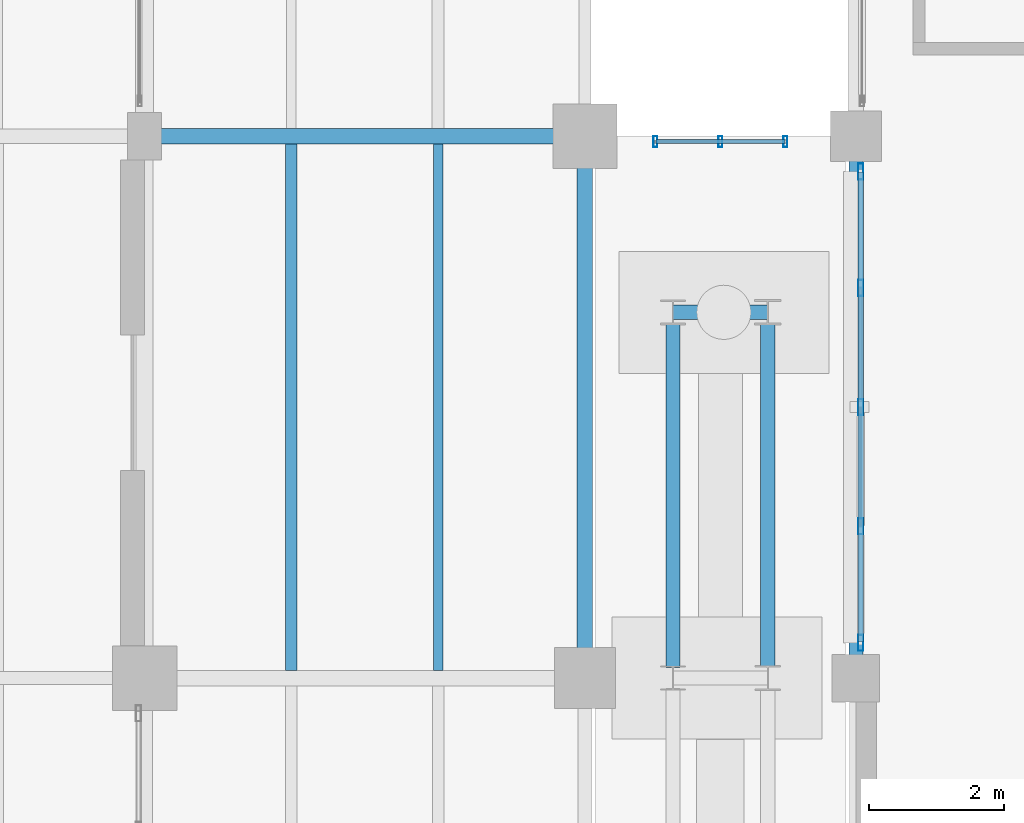
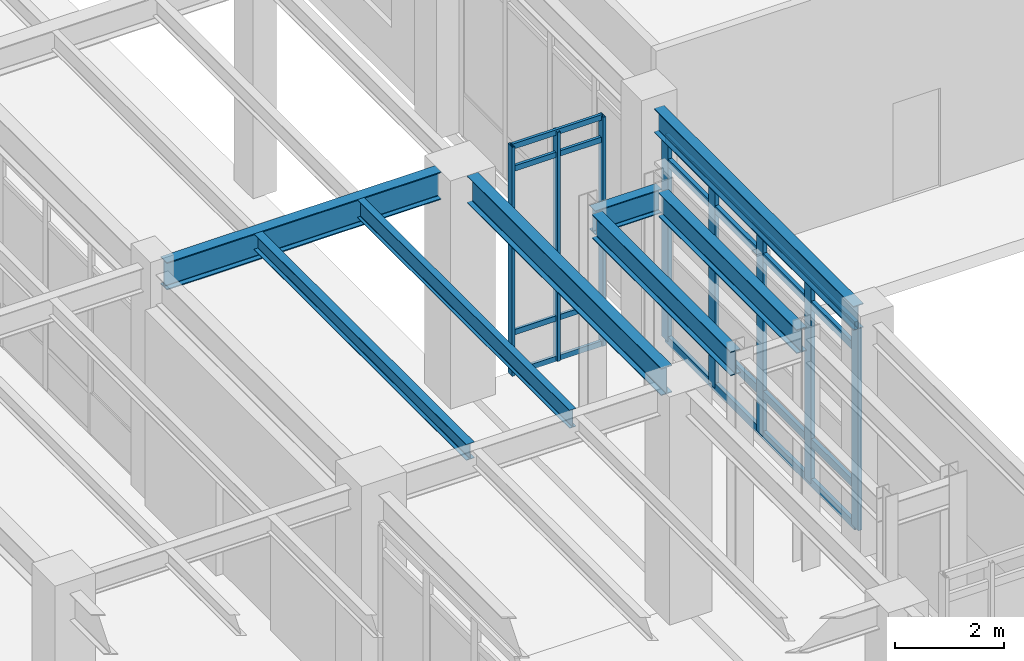
# One storey, part 115 of 203: 16 members, 8 beams, 2 elements without a shape of their own.
"""IFC4 building model written with IfcOpenShell, lengths in metres."""

from ifc_helpers import new_model, si_unit, direction, frame, origin, origin_2d, place, context, subcontext, project, spatial, hollow_rectangle, i_section, extrude, material, material_profile, profile_set, type_object, element, aggregate, save


model = new_model("IFC4")

# Units and contexts
model_context = context("Model", 3, precision=1e-05, world=origin(), true_north=direction((0.0, 1.0)))
body_context = subcontext(model_context, "Body", "Model", "MODEL_VIEW")
ifc_project = project(units=[si_unit("LENGTHUNIT", "METRE"), si_unit("AREAUNIT", "SQUARE_METRE"), si_unit("VOLUMEUNIT", "CUBIC_METRE"), si_unit("PLANEANGLEUNIT", "RADIAN"), si_unit("MASSUNIT", "GRAM", prefix="KILO"), si_unit("THERMODYNAMICTEMPERATUREUNIT", "KELVIN"), si_unit("POWERUNIT", "WATT")], contexts=[model_context])

# Site, building, storey
site_placement = place(None, origin())
site = spatial("IfcSite", under=ifc_project, at=site_placement, CompositionType="ELEMENT")
building_placement = place(site_placement, origin())
building = spatial("IfcBuilding", under=site, at=building_placement, Name="Tepalcoro Natatorium and Aquatics Centre", CompositionType="ELEMENT")
storey_placement = place(building_placement, origin())
storey = spatial("IfcBuildingStorey", under=building, at=storey_placement, Name="L00", CompositionType="ELEMENT", Elevation=0.0)

# Beams
ifc_material_1 = material(Name="Steel ASTM A992 Grade 50 (Fy 345 MPa)", Category="steel")
ifc_material_profile_1 = material_profile(ifc_material_1, i_section(OverallWidth=0.2109375, OverallDepth=0.5380859375, WebThickness=0.011962890625, FlangeThickness=0.01904296875, FilletRadius=0.013916015625, at=origin_2d()), Name="W21X73")
ifc_profile_set_1 = profile_set([ifc_material_profile_1], Name="Steel ASTM A992 Grade 50 (Fy 345 MPa)")
beam_type_1 = type_object("IfcBeamType", Name="BM_LINK_LB1", PredefinedType="BEAM", material=ifc_profile_set_1)
beam_1_placement = place(storey_placement, frame((139.300048828125, 41.39990234375, 4.89599609375), z_axis=(1.0, 0.0, 0.0), x_axis=(0.0, 1.0, 0.0)))
element("IfcBeam", 1, at=beam_1_placement, inside=storey, type_object=beam_type_1, Name="Seismic passage link beam LB1 (V6E L00)", PredefinedType="BEAM", context=body_context, shape_type="SweptSolid", body=[
    extrude(i_section(OverallWidth=0.2109375, OverallDepth=0.5380859375, WebThickness=0.011962890625, FlangeThickness=0.01904296875, FilletRadius=0.013916015625, at=origin_2d()), origin(), (0.0, 0.0, 1.0), 1.39990234375),
])
beam_2_placement = place(storey_placement, frame((139.300048828125, 36.156982421875, 4.89599609375), z_axis=(0.0, 1.0, 0.0), x_axis=(-1.0, 0.0, 0.0)))
element("IfcBeam", 2, at=beam_2_placement, inside=storey, type_object=beam_type_1, Name="Seismic passage link beam LB1 (V6E L00)", PredefinedType="BEAM", context=body_context, shape_type="SweptSolid", body=[
    extrude(i_section(OverallWidth=0.2109375, OverallDepth=0.5380859375, WebThickness=0.011962890625, FlangeThickness=0.01904296875, FilletRadius=0.013916015625, at=origin_2d()), origin(), (0.0, 0.0, 1.0), 5.080078125),
])
beam_3_placement = place(storey_placement, frame((140.699951171875, 36.1630859375, 4.89599609375), z_axis=(0.0, 1.0, 0.0), x_axis=(-1.0, 0.0, 0.0)))
element("IfcBeam", 3, at=beam_3_placement, inside=storey, type_object=beam_type_1, Name="Seismic passage link beam LB1 (V6E L00)", PredefinedType="BEAM", context=body_context, shape_type="SweptSolid", body=[
    extrude(i_section(OverallWidth=0.2109375, OverallDepth=0.5380859375, WebThickness=0.011962890625, FlangeThickness=0.01904296875, FilletRadius=0.013916015625, at=origin_2d()), origin(), (0.0, 0.0, 1.0), 5.06982421875),
])
ifc_material_profile_2 = material_profile(ifc_material_1, i_section(OverallWidth=0.22998046875, OverallDepth=0.616943359375, WebThickness=0.012939453125, FlangeThickness=0.02197265625, FilletRadius=0.013916015625, at=origin_2d()), Name="W24X94")
ifc_profile_set_2 = profile_set([ifc_material_profile_2], Name="Steel ASTM A992 Grade 50 (Fy 345 MPa)")
beam_type_2 = type_object("IfcBeamType", Name="BM_W24x94", PredefinedType="BEAM", material=ifc_profile_set_2)
beam_4_placement = place(storey_placement, frame((131.735107421875, 44.0, 4.776611328125), z_axis=(1.0, 0.0, 0.0), x_axis=(0.0, 1.0, 0.0)))
element("IfcBeam", 4, at=beam_4_placement, inside=storey, type_object=beam_type_2, Name="V1 L00 Grid Girder X", PredefinedType="BEAM", context=body_context, shape_type="SweptSolid", body=[
    extrude(i_section(OverallWidth=0.22998046875, OverallDepth=0.616943359375, WebThickness=0.012939453125, FlangeThickness=0.02197265625, FilletRadius=0.013916015625, at=origin_2d()), origin(), (0.0, 0.0, 1.0), 5.804931640625),
])

# Curtain wall, members
ifc_material_2 = material(Name="Bronze-Anodised Extruded Aluminium Alloy EN AW-6063 T6", Category="aluminium")
curtain_wall_type_1 = type_object("IfcCurtainWallType", Name="CW_LINK_150", PredefinedType="USERDEFINED", material=ifc_material_2)
curtain_wall_1_placement = place(storey_placement, origin())
curtain_wall_1 = element("IfcCurtainWall", 5, at=curtain_wall_1_placement, inside=storey, type_object=curtain_wall_type_1, Name="East Diving Seismic Link Glazed Wall N L00", ObjectType="UNITISED STOREFRONT", PredefinedType="USERDEFINED")
ifc_material_profile_3 = material_profile(ifc_material_2, hollow_rectangle(XDim=0.06005859375, YDim=0.159912109375, WallThickness=0.00390625, at=origin_2d()), Name="AL60X160X4")
ifc_profile_set_3 = profile_set([ifc_material_profile_3], Name="Bronze-Anodised Extruded Aluminium Alloy EN AW-6063 T6")
member_type_1 = type_object("IfcMemberType", Name="CW_MUL_60x160", PredefinedType="MULLION", material=ifc_profile_set_3)
member_1_placement = place(storey_placement, frame((139.0400390625, 43.919921875, 0.02001953125), z_axis=(0.0, 0.0, 1.0), x_axis=(1.0, 0.0, 0.0)))
member_1 = element("IfcMember", 6, at=member_1_placement, type_object=member_type_1, Name="CW_LINK_150 Curtain Wall Mullion", PredefinedType="MULLION", context=body_context, shape_type="SweptSolid", body=[
    extrude(hollow_rectangle(XDim=0.06005859375, YDim=0.159912109375, WallThickness=0.00390625, at=origin_2d()), origin(), (0.0, 0.0, 1.0), 5.119873046875),
])
member_2_placement = place(storey_placement, frame((140.0, 43.919921875, 0.02001953125), z_axis=(0.0, 0.0, 1.0), x_axis=(1.0, 0.0, 0.0)))
member_2 = element("IfcMember", 7, at=member_2_placement, type_object=member_type_1, Name="CW_LINK_150 Curtain Wall Mullion", PredefinedType="MULLION", context=body_context, shape_type="SweptSolid", body=[
    extrude(hollow_rectangle(XDim=0.06005859375, YDim=0.159912109375, WallThickness=0.00390625, at=origin_2d()), origin(), (0.0, 0.0, 1.0), 5.119873046875),
])
member_3_placement = place(storey_placement, frame((140.9599609375, 43.919921875, 0.02001953125), z_axis=(0.0, 0.0, 1.0), x_axis=(1.0, 0.0, 0.0)))
member_3 = element("IfcMember", 8, at=member_3_placement, type_object=member_type_1, Name="CW_LINK_150 Curtain Wall Mullion", PredefinedType="MULLION", context=body_context, shape_type="SweptSolid", body=[
    extrude(hollow_rectangle(XDim=0.06005859375, YDim=0.159912109375, WallThickness=0.00390625, at=origin_2d()), origin(), (0.0, 0.0, 1.0), 5.119873046875),
])

curtain_wall_type_2 = type_object("IfcCurtainWallType", Name="CW_LEAN_T2_EW", PredefinedType="USERDEFINED", material=ifc_material_2)
curtain_wall_2_placement = place(storey_placement, origin())
curtain_wall_2 = element("IfcCurtainWall", 9, at=curtain_wall_2_placement, inside=storey, type_object=curtain_wall_type_2, Name="V2 L00 W Unitised Curtain Wall Bay 5", ObjectType="FACETED SOLAR GLAZING", PredefinedType="USERDEFINED")
ifc_material_profile_4 = material_profile(ifc_material_2, hollow_rectangle(XDim=0.080078125, YDim=0.239990234375, WallThickness=0.0048828125, at=origin_2d()), Name="AL80X240X5")
ifc_profile_set_4 = profile_set([ifc_material_profile_4], Name="Bronze-Anodised Extruded Aluminium Alloy EN AW-6063 T6")
member_type_2 = type_object("IfcMemberType", Name="CW_MUL_80x240", PredefinedType="MULLION", material=ifc_profile_set_4)
member_4_placement = place(storey_placement, frame((142.0712890625, 36.52001953125, 0.02001953125), z_axis=(0.0, 0.0, 1.0), x_axis=(1.0, 0.0, 0.0)))
member_4 = element("IfcMember", 10, at=member_4_placement, type_object=member_type_2, Name="CW_LEAN_T2_EW Curtain Wall Mullion", PredefinedType="MULLION", context=body_context, shape_type="SweptSolid", body=[
    extrude(hollow_rectangle(XDim=0.080078125, YDim=0.239990234375, WallThickness=0.0048828125, at=origin_2d()), origin(), (0.0, 0.0, 1.0), 4.533935546875),
])
member_5_placement = place(storey_placement, frame((142.0712890625, 38.239990234375, 0.02001953125), z_axis=(0.0, 0.0, 1.0), x_axis=(1.0, 0.0, 0.0)))
member_5 = element("IfcMember", 11, at=member_5_placement, type_object=member_type_2, Name="CW_LEAN_T2_EW Curtain Wall Mullion", PredefinedType="MULLION", context=body_context, shape_type="SweptSolid", body=[
    extrude(hollow_rectangle(XDim=0.080078125, YDim=0.239990234375, WallThickness=0.0048828125, at=origin_2d()), origin(), (0.0, 0.0, 1.0), 4.533935546875),
])
member_6_placement = place(storey_placement, frame((142.0712890625, 40.0, 0.02001953125), z_axis=(0.0, 0.0, 1.0), x_axis=(1.0, 0.0, 0.0)))
member_6 = element("IfcMember", 12, at=member_6_placement, type_object=member_type_2, Name="CW_LEAN_T2_EW Curtain Wall Mullion", PredefinedType="MULLION", context=body_context, shape_type="SweptSolid", body=[
    extrude(hollow_rectangle(XDim=0.080078125, YDim=0.239990234375, WallThickness=0.0048828125, at=origin_2d()), origin(), (0.0, 0.0, 1.0), 4.533935546875),
])
member_7_placement = place(storey_placement, frame((142.0712890625, 41.760009765625, 0.02001953125), z_axis=(0.0, 0.0, 1.0), x_axis=(1.0, 0.0, 0.0)))
member_7 = element("IfcMember", 13, at=member_7_placement, type_object=member_type_2, Name="CW_LEAN_T2_EW Curtain Wall Mullion", PredefinedType="MULLION", context=body_context, shape_type="SweptSolid", body=[
    extrude(hollow_rectangle(XDim=0.080078125, YDim=0.239990234375, WallThickness=0.0048828125, at=origin_2d()), origin(), (0.0, 0.0, 1.0), 4.533935546875),
])
member_8_placement = place(storey_placement, frame((142.0712890625, 43.47998046875, 0.02001953125), z_axis=(0.0, 0.0, 1.0), x_axis=(1.0, 0.0, 0.0)))
member_8 = element("IfcMember", 14, at=member_8_placement, type_object=member_type_2, Name="CW_LEAN_T2_EW Curtain Wall Mullion", PredefinedType="MULLION", context=body_context, shape_type="SweptSolid", body=[
    extrude(hollow_rectangle(XDim=0.080078125, YDim=0.239990234375, WallThickness=0.0048828125, at=origin_2d()), origin(), (0.0, 0.0, 1.0), 4.533935546875),
])

# Member
ifc_material_profile_5 = material_profile(ifc_material_2, hollow_rectangle(XDim=0.06005859375, YDim=0.1201171875, WallThickness=0.00390625, at=origin_2d()), Name="AL60X120X4")
ifc_profile_set_5 = profile_set([ifc_material_profile_5], Name="Bronze-Anodised Extruded Aluminium Alloy EN AW-6063 T6")
member_type_3 = type_object("IfcMemberType", Name="CW_TRN_60x120", PredefinedType="USERDEFINED", material=ifc_profile_set_5)
member_9_placement = place(storey_placement, frame((139.050048828125, 43.919921875, 0.050048828125), z_axis=(1.0, 0.0, 0.0), x_axis=(0.0, 1.0, 0.0)))
member_9 = element("IfcMember", 15, at=member_9_placement, type_object=member_type_3, Name="CW_LINK_150 Curtain Wall Transom", ObjectType="TRANSOM", PredefinedType="USERDEFINED", context=body_context, shape_type="SweptSolid", body=[
    extrude(hollow_rectangle(XDim=0.06005859375, YDim=0.1201171875, WallThickness=0.00390625, at=origin_2d()), origin(), (0.0, 0.0, 1.0), 1.89990234375),
])

member_10_placement = place(storey_placement, frame((139.050048828125, 43.919921875, 0.949951171875), z_axis=(1.0, 0.0, 0.0), x_axis=(0.0, 1.0, 0.0)))
member_10 = element("IfcMember", 16, at=member_10_placement, type_object=member_type_3, Name="CW_LINK_150 Curtain Wall Transom", ObjectType="TRANSOM", PredefinedType="USERDEFINED", context=body_context, shape_type="SweptSolid", body=[
    extrude(hollow_rectangle(XDim=0.06005859375, YDim=0.1201171875, WallThickness=0.00390625, at=origin_2d()), origin(), (0.0, 0.0, 1.0), 1.89990234375),
])

member_11_placement = place(storey_placement, frame((139.050048828125, 43.919921875, 4.610107421875), z_axis=(1.0, 0.0, 0.0), x_axis=(0.0, 1.0, 0.0)))
member_11 = element("IfcMember", 17, at=member_11_placement, type_object=member_type_3, Name="CW_LINK_150 Curtain Wall Transom", ObjectType="TRANSOM", PredefinedType="USERDEFINED", context=body_context, shape_type="SweptSolid", body=[
    extrude(hollow_rectangle(XDim=0.06005859375, YDim=0.1201171875, WallThickness=0.00390625, at=origin_2d()), origin(), (0.0, 0.0, 1.0), 1.89990234375),
])

member_12_placement = place(storey_placement, frame((139.050048828125, 43.919921875, 5.110107421875), z_axis=(1.0, 0.0, 0.0), x_axis=(0.0, 1.0, 0.0)))
member_12 = element("IfcMember", 18, at=member_12_placement, type_object=member_type_3, Name="CW_LINK_150 Curtain Wall Transom", ObjectType="TRANSOM", PredefinedType="USERDEFINED", context=body_context, shape_type="SweptSolid", body=[
    extrude(hollow_rectangle(XDim=0.06005859375, YDim=0.1201171875, WallThickness=0.00390625, at=origin_2d()), origin(), (0.0, 0.0, 1.0), 1.89990234375),
])

aggregate(curtain_wall_1, [member_1, member_2, member_3, member_9, member_10, member_11, member_12])

ifc_material_profile_6 = material_profile(ifc_material_2, hollow_rectangle(XDim=0.080078125, YDim=0.179931640625, WallThickness=0.0048828125, at=origin_2d()), Name="AL80X180X5")
ifc_profile_set_6 = profile_set([ifc_material_profile_6], Name="Bronze-Anodised Extruded Aluminium Alloy EN AW-6063 T6")
member_type_4 = type_object("IfcMemberType", Name="CW_TRN_80x180", PredefinedType="USERDEFINED", material=ifc_profile_set_6)
member_13_placement = place(storey_placement, frame((142.0712890625, 36.530029296875, 0.050048828125), z_axis=(0.0, 1.0, 0.0), x_axis=(-1.0, 0.0, 0.0)))
member_13 = element("IfcMember", 19, at=member_13_placement, type_object=member_type_4, Name="CW_LEAN_T2_EW Curtain Wall Transom", ObjectType="TRANSOM", PredefinedType="USERDEFINED", context=body_context, shape_type="SweptSolid", body=[
    extrude(hollow_rectangle(XDim=0.080078125, YDim=0.179931640625, WallThickness=0.0048828125, at=origin_2d()), origin(), (0.0, 0.0, 1.0), 6.93994140625),
])

member_14_placement = place(storey_placement, frame((142.0712890625, 36.530029296875, 0.949951171875), z_axis=(0.0, 1.0, 0.0), x_axis=(-1.0, 0.0, 0.0)))
member_14 = element("IfcMember", 20, at=member_14_placement, type_object=member_type_4, Name="CW_LEAN_T2_EW Curtain Wall Transom", ObjectType="TRANSOM", PredefinedType="USERDEFINED", context=body_context, shape_type="SweptSolid", body=[
    extrude(hollow_rectangle(XDim=0.080078125, YDim=0.179931640625, WallThickness=0.0048828125, at=origin_2d()), origin(), (0.0, 0.0, 1.0), 6.93994140625),
])

member_15_placement = place(storey_placement, frame((142.0712890625, 36.530029296875, 4.02392578125), z_axis=(0.0, 1.0, 0.0), x_axis=(-1.0, 0.0, 0.0)))
member_15 = element("IfcMember", 21, at=member_15_placement, type_object=member_type_4, Name="CW_LEAN_T2_EW Curtain Wall Transom", ObjectType="TRANSOM", PredefinedType="USERDEFINED", context=body_context, shape_type="SweptSolid", body=[
    extrude(hollow_rectangle(XDim=0.080078125, YDim=0.179931640625, WallThickness=0.0048828125, at=origin_2d()), origin(), (0.0, 0.0, 1.0), 6.93994140625),
])

member_16_placement = place(storey_placement, frame((142.0712890625, 36.530029296875, 4.52392578125), z_axis=(0.0, 1.0, 0.0), x_axis=(-1.0, 0.0, 0.0)))
member_16 = element("IfcMember", 22, at=member_16_placement, type_object=member_type_4, Name="CW_LEAN_T2_EW Curtain Wall Transom", ObjectType="TRANSOM", PredefinedType="USERDEFINED", context=body_context, shape_type="SweptSolid", body=[
    extrude(hollow_rectangle(XDim=0.080078125, YDim=0.179931640625, WallThickness=0.0048828125, at=origin_2d()), origin(), (0.0, 0.0, 1.0), 6.93994140625),
])

aggregate(curtain_wall_2, [member_4, member_5, member_6, member_7, member_8, member_13, member_14, member_15, member_16])

# Beams
ifc_material_profile_7 = material_profile(ifc_material_1, i_section(OverallWidth=0.172119140625, OverallDepth=0.35791015625, WebThickness=0.008056640625, FlangeThickness=0.012939453125, FilletRadius=0.013916015625, at=origin_2d()), Name="W14X38")
ifc_profile_set_7 = profile_set([ifc_material_profile_7], Name="Steel ASTM A992 Grade 50 (Fy 345 MPa)")
beam_type_3 = type_object("IfcBeamType", Name="JS_W14x38", PredefinedType="JOIST", material=ifc_profile_set_7)
beam_5_placement = place(storey_placement, frame((133.666748046875, 36.114013671875, 4.906005859375), z_axis=(0.0, 1.0, 0.0), x_axis=(-1.0, 0.0, 0.0)))
element("IfcBeam", 23, at=beam_5_placement, inside=storey, type_object=beam_type_3, Name="V1 L00 Floor Joist", PredefinedType="JOIST", context=body_context, shape_type="SweptSolid", body=[
    extrude(i_section(OverallWidth=0.172119140625, OverallDepth=0.35791015625, WebThickness=0.008056640625, FlangeThickness=0.012939453125, FilletRadius=0.013916015625, at=origin_2d()), origin(), (0.0, 0.0, 1.0), 7.77099609375),
])
ifc_material_profile_8 = material_profile(ifc_material_1, i_section(OverallWidth=0.139892578125, OverallDepth=0.404052734375, WebThickness=0.007080078125, FlangeThickness=0.010986328125, FilletRadius=0.013916015625, at=origin_2d()), Name="W16X31")
ifc_profile_set_8 = profile_set([ifc_material_profile_8], Name="Steel ASTM A992 Grade 50 (Fy 345 MPa)")
beam_type_4 = type_object("IfcBeamType", Name="JS_W16x31", PredefinedType="JOIST", material=ifc_profile_set_8)
beam_6_placement = place(storey_placement, frame((135.833251953125, 36.114013671875, 4.883056640625), z_axis=(0.0, 1.0, 0.0), x_axis=(-1.0, 0.0, 0.0)))
element("IfcBeam", 24, at=beam_6_placement, inside=storey, type_object=beam_type_4, Name="V1 L00 Floor Joist", PredefinedType="JOIST", context=body_context, shape_type="SweptSolid", body=[
    extrude(i_section(OverallWidth=0.139892578125, OverallDepth=0.404052734375, WebThickness=0.007080078125, FlangeThickness=0.010986328125, FilletRadius=0.013916015625, at=origin_2d()), origin(), (0.0, 0.0, 1.0), 7.77099609375),
])
ifc_material_profile_9 = material_profile(ifc_material_1, i_section(OverallWidth=0.2099609375, OverallDepth=0.535888671875, WebThickness=0.010986328125, FlangeThickness=0.01708984375, FilletRadius=0.013916015625, at=origin_2d()), Name="W21X68")
ifc_profile_set_9 = profile_set([ifc_material_profile_9], Name="Steel ASTM A992 Grade 50 (Fy 345 MPa)")
beam_type_5 = type_object("IfcBeamType", Name="SP_W21x68", PredefinedType="SPANDREL", material=ifc_profile_set_9)
beam_7_placement = place(storey_placement, frame((142.0, 36.3349609375, 4.85693359375), z_axis=(0.0, 1.0, 0.0), x_axis=(-1.0, 0.0, 0.0)))
element("IfcBeam", 25, at=beam_7_placement, inside=storey, type_object=beam_type_5, Name="V2 L00 Grid Girder Y", PredefinedType="SPANDREL", context=body_context, shape_type="SweptSolid", body=[
    extrude(i_section(OverallWidth=0.2099609375, OverallDepth=0.535888671875, WebThickness=0.010986328125, FlangeThickness=0.01708984375, FilletRadius=0.013916015625, at=origin_2d()), origin(), (0.0, 0.0, 1.0), 7.304931640625),
])
ifc_material_profile_10 = material_profile(ifc_material_1, i_section(OverallWidth=0.22900390625, OverallDepth=0.612060546875, WebThickness=0.011962890625, FlangeThickness=0.02001953125, FilletRadius=0.013916015625, at=origin_2d()), Name="W24X84")
ifc_profile_set_10 = profile_set([ifc_material_profile_10], Name="Steel ASTM A992 Grade 50 (Fy 345 MPa)")
beam_type_6 = type_object("IfcBeamType", Name="SP_W24x84", PredefinedType="SPANDREL", material=ifc_profile_set_10)
beam_8_placement = place(storey_placement, frame((138.0, 36.43505859375, 4.779052734375), z_axis=(0.0, 1.0, 0.0), x_axis=(-1.0, 0.0, 0.0)))
element("IfcBeam", 26, at=beam_8_placement, inside=storey, type_object=beam_type_6, Name="V1 L00 Grid Girder Y", PredefinedType="SPANDREL", context=body_context, shape_type="SweptSolid", body=[
    extrude(i_section(OverallWidth=0.22900390625, OverallDepth=0.612060546875, WebThickness=0.011962890625, FlangeThickness=0.02001953125, FilletRadius=0.013916015625, at=origin_2d()), origin(), (0.0, 0.0, 1.0), 7.10498046875),
])

save(model, "model.ifc")
